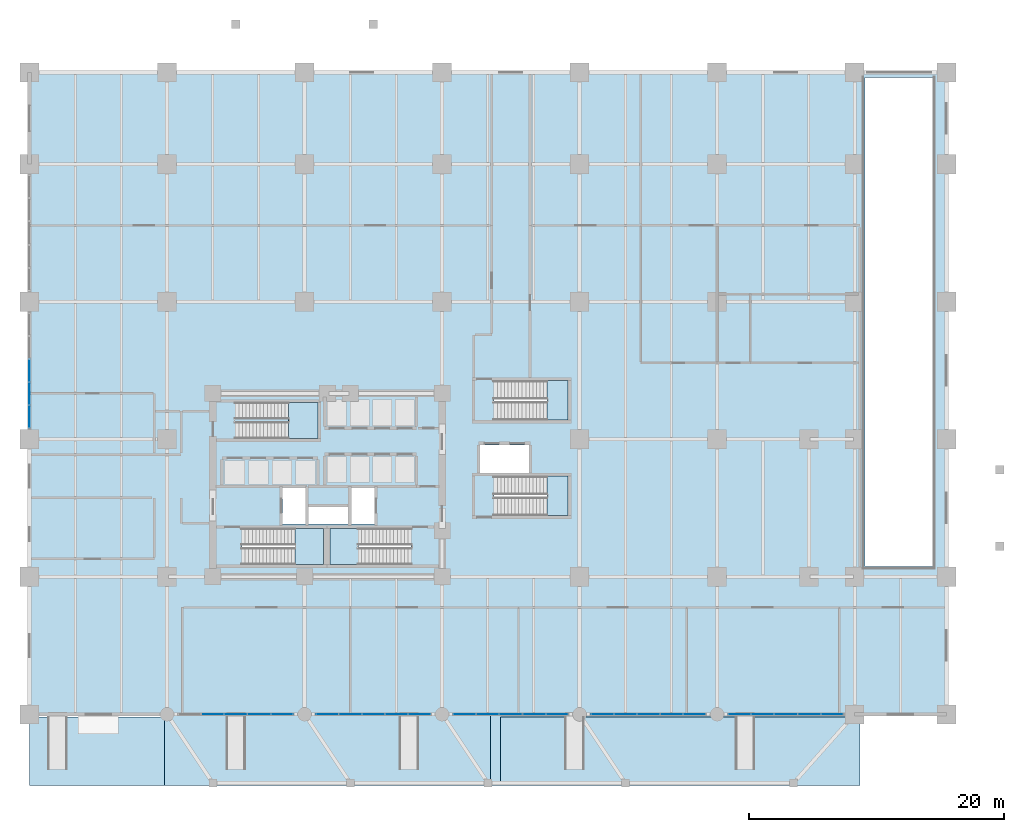
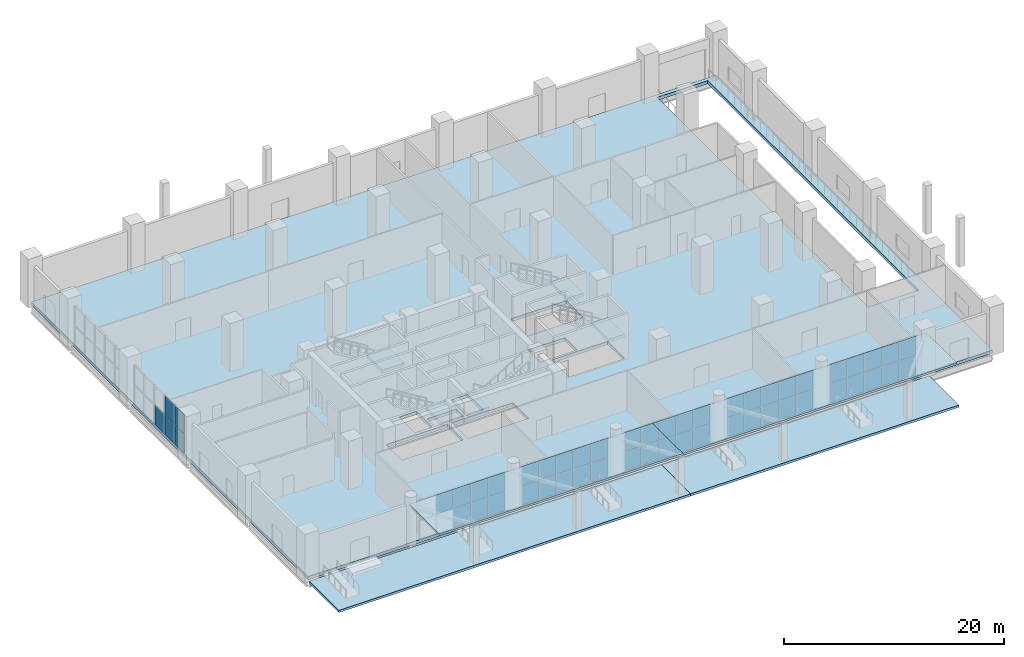
# One storey, part 12 of 22: 52 plates, 10 slabs, 11 elements without a shape of their own.
"""IFC4 building model written with IfcOpenShell, lengths in metres."""

import ifcopenshell
import ifcopenshell.guid

model = None  # the IFC model being written
_history = None  # IfcOwnerHistory: only IFC2X3 demands one
_inside = {}  # id of a spatial element -> (the spatial element, [elements in it])
_under = {}  # id of a project, library or spatial element -> (it, [spatial elements below it])
_declared = {}  # id of a project -> (the project, [libraries it declares])
_typed = {}  # id of a type object -> (the type object, [elements of that type])
_made_of = {}  # id of a material, layer set ... -> (it, [elements and type objects made of it])


def new_model(schema):
    """Start an empty IFC model of exactly this schema.

    Asked for "IFC4X3", IfcOpenShell would pick the latest addendum, in which some entities
    have other attributes; the version numbers below select the first issue.
    IFC2X3 requires an IfcOwnerHistory on every rooted entity: one is made here for all.
    """
    global model, _history
    if schema == "IFC4X3":
        model = ifcopenshell.file(schema_version=(4, 3, 0, 0))
    else:
        model = ifcopenshell.file(schema=schema)
    _inside.clear()
    _under.clear()
    _declared.clear()
    _typed.clear()
    _made_of.clear()
    _history = None
    if model.schema == "IFC2X3":
        org = make("IfcOrganization", Name="unknown")
        user = make(
            "IfcPersonAndOrganization",
            ThePerson=make("IfcPerson", FamilyName="unknown"),
            TheOrganization=org,
        )
        app = make(
            "IfcApplication",
            ApplicationDeveloper=org,
            Version="unknown",
            ApplicationFullName="unknown",
            ApplicationIdentifier="unknown",
        )
        _history = make(
            "IfcOwnerHistory",
            OwningUser=user,
            OwningApplication=app,
            ChangeAction="ADDED",
            CreationDate=0,
        )
    return model


def make(cls, **values):
    """One entity of the class cls with the attributes given. An attribute that is None is left unset."""
    return model.create_entity(
        cls, **{name: value for name, value in values.items() if value is not None}
    )


def rooted(cls, **values):
    """An entity with a GlobalId (a new one), such as an element, a storey or a relation."""
    return make(cls, GlobalId=ifcopenshell.guid.new(), OwnerHistory=_history, **values)


def si_unit(unit_type, name, prefix=None):
    """IfcSIUnit, for example si_unit("LENGTHUNIT", "METRE", prefix="MILLI")."""
    return make("IfcSIUnit", UnitType=unit_type, Prefix=prefix, Name=name)


def assignment(units):
    """IfcUnitAssignment: the units of a project."""
    return None if units is None else make("IfcUnitAssignment", Units=units)


def point(xyz):
    """IfcCartesianPoint."""
    return None if xyz is None else make("IfcCartesianPoint", Coordinates=xyz)


def direction(xyz):
    """IfcDirection."""
    return None if xyz is None else make("IfcDirection", DirectionRatios=xyz)


def frame(location, z_axis=None, x_axis=None):
    """IfcAxis2Placement3D, a coordinate frame: its origin and axes. An axis left out is left unset."""
    return make(
        "IfcAxis2Placement3D",
        Location=point(location),
        Axis=direction(z_axis),
        RefDirection=direction(x_axis),
    )


def frame_2d(location, x_axis=None):
    """IfcAxis2Placement2D, a coordinate frame in the plane: its origin and x axis."""
    return make(
        "IfcAxis2Placement2D", Location=point(location), RefDirection=direction(x_axis)
    )


def origin():
    """The frame at (0, 0, 0) with its axes left unset."""
    return frame((0.0, 0.0, 0.0))


def origin_2d():
    """The frame at (0, 0) in the plane with its x axis left unset."""
    return frame_2d((0.0, 0.0))


def place(relative_to, where):
    """IfcLocalPlacement: puts the frame where relative to a parent placement (None: the world)."""
    return make(
        "IfcLocalPlacement", PlacementRelTo=relative_to, RelativePlacement=where
    )


def context(
    kind, dimensions, precision=None, world=None, true_north=None, identifier=None
):
    """IfcGeometricRepresentationContext, for example the 3D "Model" context."""
    return make(
        "IfcGeometricRepresentationContext",
        ContextIdentifier=identifier,
        ContextType=kind,
        CoordinateSpaceDimension=dimensions,
        Precision=precision,
        WorldCoordinateSystem=world,
        TrueNorth=true_north,
    )


def subcontext(parent, identifier, kind, view, scale=None):
    """IfcGeometricRepresentationSubContext, for example "Body" below "Model"."""
    return make(
        "IfcGeometricRepresentationSubContext",
        ContextIdentifier=identifier,
        ContextType=kind,
        ParentContext=parent,
        TargetScale=scale,
        TargetView=view,
    )


def project(units=None, contexts=None):
    """IfcProject with its units and contexts."""
    return rooted(
        "IfcProject",
        Name="project",
        RepresentationContexts=contexts,
        UnitsInContext=assignment(units),
    )


def spatial(cls, under=None, at=None, **own):
    """A site, building, storey or space (cls), placed at a placement, below another one or the project."""
    s = rooted(cls, ObjectPlacement=at, **own)
    if under is not None:
        _under.setdefault(under.id(), (under, []))[1].append(s)
    return s


def polyline(points):
    """IfcPolyline through the points."""
    return make("IfcPolyline", Points=[point(p) for p in points])


def profile(cls, at=None, kind="AREA", **sizes):
    """A parametric profile (cls). Its sizes go by their IFC names, for example OverallWidth=200.0."""
    return make(cls, ProfileType=kind, Position=at, **sizes)


def rectangle(**sizes):
    """IfcRectangleProfileDef."""
    return profile("IfcRectangleProfileDef", **sizes)


def outline(outer, holes=None, kind="AREA"):
    """IfcArbitraryClosedProfileDef: a profile drawn as a closed curve; with holes, ...WithVoids."""
    if holes is None:
        return make("IfcArbitraryClosedProfileDef", ProfileType=kind, OuterCurve=outer)
    return make(
        "IfcArbitraryProfileDefWithVoids",
        ProfileType=kind,
        OuterCurve=outer,
        InnerCurves=holes,
    )


def extrude(swept, where, along, depth):
    """IfcExtrudedAreaSolid: the profile swept, set in the frame where, extruded along a direction by depth."""
    return make(
        "IfcExtrudedAreaSolid",
        SweptArea=swept,
        Position=where,
        ExtrudedDirection=direction(along),
        Depth=depth,
    )


def shape(context_of_items, identifier, shape_type, items):
    """IfcShapeRepresentation: the items that make up one representation, for example the "Body"."""
    return make(
        "IfcShapeRepresentation",
        ContextOfItems=context_of_items,
        RepresentationIdentifier=identifier,
        RepresentationType=shape_type,
        Items=items,
    )


def material(Name=None, Category=None):
    """IfcMaterial."""
    return make("IfcMaterial", Name=Name, Category=Category)


def layer(
    of_material, thickness, ventilated=None, Name=None, Category=None, Priority=None
):
    """IfcMaterialLayer: one layer of a wall or slab, of a material (None: an air gap)."""
    return make(
        "IfcMaterialLayer",
        Material=of_material,
        LayerThickness=thickness,
        IsVentilated=ventilated,
        Name=Name,
        Category=Category,
        Priority=Priority,
    )


def layer_set(layers, Name=None):
    """IfcMaterialLayerSet."""
    return make("IfcMaterialLayerSet", MaterialLayers=layers, LayerSetName=Name)


def made_of(thing, what):
    """Note that an element or type object is made of a material, layer set ...; save() writes the relation."""
    if what is not None:
        _made_of.setdefault(what.id(), (what, []))[1].append(thing)
    return thing


def type_object(cls, material=None, **own):
    """A type object (cls), such as IfcWallType, which elements share."""
    return made_of(rooted(cls, **own), material)


def element(
    cls,
    number,
    at=None,
    inside=None,
    cuts=None,
    type_object=None,
    material=None,
    context=None,
    identifier="Body",
    shape_type=None,
    held_by="IfcProductDefinitionShape",
    body=None,
    shapes=None,
    **own,
):
    """One element of the class cls, such as IfcWall. Its Tag is "e" and its number.

    at: its placement. inside: the storey or other place that contains it. cuts: it is an
    opening in that element (IfcRelVoidsElement). A single representation is given by context,
    identifier, shape_type and body (its items); several are given by shapes. held_by: the class
    of the entity that holds the representations. save() writes the other relations.
    """
    e = rooted(cls, Tag="e%d" % number, ObjectPlacement=at, **own)
    if body is not None:
        shapes = [shape(context, identifier, shape_type, body)]
    if shapes is not None:
        e.Representation = make(held_by, Representations=shapes)
    if inside is not None:
        _inside.setdefault(inside.id(), (inside, []))[1].append(e)
    if cuts is not None:
        rooted(
            "IfcRelVoidsElement", RelatingBuildingElement=cuts, RelatedOpeningElement=e
        )
    if type_object is not None:
        _typed.setdefault(type_object.id(), (type_object, []))[1].append(e)
    return made_of(e, material)


def aggregate(whole, parts):
    """IfcRelAggregates: a whole, such as a stair, and the parts it consists of."""
    return rooted("IfcRelAggregates", RelatingObject=whole, RelatedObjects=parts)


def save(model, path):
    """Write the relations noted so far, then the file.

    IfcRelAggregates (storeys below a building ...), IfcRelContainedInSpatialStructure (elements
    in a storey), IfcRelDefinesByType, IfcRelAssociatesMaterial and IfcRelDeclares: one each for
    every whole, place, type object, material and project.
    """
    for whole, parts in _under.values():
        aggregate(whole, parts)
    for where, things in _inside.values():
        rooted(
            "IfcRelContainedInSpatialStructure",
            RelatedElements=things,
            RelatingStructure=where,
        )
    for kind, things in _typed.values():
        rooted("IfcRelDefinesByType", RelatedObjects=things, RelatingType=kind)
    for what, things in _made_of.values():
        rooted("IfcRelAssociatesMaterial", RelatedObjects=things, RelatingMaterial=what)
    for by, libraries in _declared.values():
        rooted("IfcRelDeclares", RelatingContext=by, RelatedDefinitions=libraries)
    model.write(path)


model = new_model("IFC4")

# Units and contexts
model_context = context("Model", 3, precision=1e-05, world=origin(), true_north=direction((0.0, 1.0)))
body_context = subcontext(model_context, "Body", "Model", "MODEL_VIEW")
ifc_project = project(units=[si_unit("LENGTHUNIT", "METRE"), si_unit("AREAUNIT", "SQUARE_METRE"), si_unit("VOLUMEUNIT", "CUBIC_METRE"), si_unit("PLANEANGLEUNIT", "RADIAN"), si_unit("MASSUNIT", "GRAM", prefix="KILO")], contexts=[model_context])

# Site, building, storey
site_placement = place(None, origin())
site = spatial("IfcSite", under=ifc_project, at=site_placement, CompositionType="ELEMENT")
building_placement = place(site_placement, origin())
building = spatial("IfcBuilding", under=site, at=building_placement, Name="Solnavia Interchange Tower", CompositionType="ELEMENT")
storey_placement = place(building_placement, origin())
storey = spatial("IfcBuildingStorey", under=building, at=storey_placement, Name="L00", CompositionType="ELEMENT", Elevation=0.0)

# Curtain wall, plates
ifc_material_1 = material(Name="Aluminium Alloy 6063-T6", Category="aluminium")
ifc_layer_1 = layer(ifc_material_1, 0.27001953125)
ifc_layer_set_1 = layer_set([ifc_layer_1], Name="Aluminium Alloy 6063-T6")
curtain_wall_type = type_object("IfcCurtainWallType", Name="CurtainWall-Podium-CTW1", PredefinedType="NOTDEFINED", material=ifc_layer_set_1)
curtain_wall_1_placement = place(storey_placement, origin())
curtain_wall_1 = element("IfcCurtainWall", 1, at=curtain_wall_1_placement, inside=storey, type_object=curtain_wall_type, Name="CTW-L00-S01 CTW-1 curtain wall", PredefinedType="NOTDEFINED")
ifc_material_2 = material(Name="Double-Glazed Low-E IGU Glass", Category="glass")
ifc_layer_2 = layer(ifc_material_2, 0.028076171875)
ifc_layer_set_2 = layer_set([ifc_layer_2], Name="Double-Glazed Low-E IGU Glass")
plate_type = type_object("IfcPlateType", Name="CW-Panel-Glazed-28", PredefinedType="CURTAIN_PANEL", material=ifc_layer_set_2)
plate_1_placement = place(storey_placement, frame((19.827880859375, 0.0, 0.06982421875), z_axis=(0.0, 0.0, 1.0), x_axis=(-1.0, 0.0, 0.0)))
plate_1 = element("IfcPlate", 2, at=plate_1_placement, type_object=plate_type, Name="CTW-1 panel 1.1", PredefinedType="CURTAIN_PANEL", context=body_context, shape_type="SweptSolid", body=[
    extrude(rectangle(XDim=1.7041015625, YDim=0.028076171875, at=origin_2d()), origin(), (0.0, 0.0, 1.0), 2.110107421875),
])
plate_2_placement = place(storey_placement, frame((19.827880859375, 0.0, 2.25), z_axis=(0.0, 0.0, 1.0), x_axis=(-1.0, 0.0, 0.0)))
plate_2 = element("IfcPlate", 3, at=plate_2_placement, type_object=plate_type, Name="CTW-1 panel 1.2", PredefinedType="CURTAIN_PANEL", context=body_context, shape_type="SweptSolid", body=[
    extrude(rectangle(XDim=1.7041015625, YDim=0.028076171875, at=origin_2d()), origin(), (0.0, 0.0, 1.0), 2.110107421875),
])
plate_3_placement = place(storey_placement, frame((18.02392578125, 0.0, 0.06982421875), z_axis=(0.0, 0.0, 1.0), x_axis=(-1.0, 0.0, 0.0)))
plate_3 = element("IfcPlate", 4, at=plate_3_placement, type_object=plate_type, Name="CTW-1 panel 2.1", PredefinedType="CURTAIN_PANEL", context=body_context, shape_type="SweptSolid", body=[
    extrude(rectangle(XDim=1.743896484375, YDim=0.028076171875, at=origin_2d()), origin(), (0.0, 0.0, 1.0), 2.110107421875),
])
plate_4_placement = place(storey_placement, frame((18.02392578125, 0.0, 2.25), z_axis=(0.0, 0.0, 1.0), x_axis=(-1.0, 0.0, 0.0)))
plate_4 = element("IfcPlate", 5, at=plate_4_placement, type_object=plate_type, Name="CTW-1 panel 2.2", PredefinedType="CURTAIN_PANEL", context=body_context, shape_type="SweptSolid", body=[
    extrude(rectangle(XDim=1.743896484375, YDim=0.028076171875, at=origin_2d()), origin(), (0.0, 0.0, 1.0), 2.110107421875),
])
plate_5_placement = place(storey_placement, frame((16.199951171875, 0.0, 0.06982421875), z_axis=(0.0, 0.0, 1.0), x_axis=(-1.0, 0.0, 0.0)))
plate_5 = element("IfcPlate", 6, at=plate_5_placement, type_object=plate_type, Name="CTW-1 panel 3.1", PredefinedType="CURTAIN_PANEL", context=body_context, shape_type="SweptSolid", body=[
    extrude(rectangle(XDim=1.743896484375, YDim=0.028076171875, at=origin_2d()), origin(), (0.0, 0.0, 1.0), 2.110107421875),
])
plate_6_placement = place(storey_placement, frame((16.199951171875, 0.0, 2.25), z_axis=(0.0, 0.0, 1.0), x_axis=(-1.0, 0.0, 0.0)))
plate_6 = element("IfcPlate", 7, at=plate_6_placement, type_object=plate_type, Name="CTW-1 panel 3.2", PredefinedType="CURTAIN_PANEL", context=body_context, shape_type="SweptSolid", body=[
    extrude(rectangle(XDim=1.743896484375, YDim=0.028076171875, at=origin_2d()), origin(), (0.0, 0.0, 1.0), 2.110107421875),
])
plate_7_placement = place(storey_placement, frame((14.3759765625, 0.0, 2.25), z_axis=(0.0, 0.0, 1.0), x_axis=(-1.0, 0.0, 0.0)))
plate_7 = element("IfcPlate", 8, at=plate_7_placement, type_object=plate_type, Name="CTW-1 panel 4.2", PredefinedType="CURTAIN_PANEL", context=body_context, shape_type="SweptSolid", body=[
    extrude(rectangle(XDim=1.743896484375, YDim=0.028076171875, at=origin_2d()), origin(), (0.0, 0.0, 1.0), 2.110107421875),
])
aggregate(curtain_wall_1, [plate_1, plate_2, plate_3, plate_4, plate_5, plate_6, plate_7])

curtain_wall_2_placement = place(storey_placement, origin())
curtain_wall_2 = element("IfcCurtainWall", 9, at=curtain_wall_2_placement, inside=storey, type_object=curtain_wall_type, Name="CTW-L00-S02 CTW-1 curtain wall", PredefinedType="NOTDEFINED")
plate_8_placement = place(storey_placement, frame((30.6279296875, 0.0, 0.06982421875), z_axis=(0.0, 0.0, 1.0), x_axis=(-1.0, 0.0, 0.0)))
plate_8 = element("IfcPlate", 10, at=plate_8_placement, type_object=plate_type, Name="CTW-1 panel 1.1", PredefinedType="CURTAIN_PANEL", context=body_context, shape_type="SweptSolid", body=[
    extrude(rectangle(XDim=1.7041015625, YDim=0.028076171875, at=origin_2d()), origin(), (0.0, 0.0, 1.0), 2.110107421875),
])
plate_9_placement = place(storey_placement, frame((30.6279296875, 0.0, 2.25), z_axis=(0.0, 0.0, 1.0), x_axis=(-1.0, 0.0, 0.0)))
plate_9 = element("IfcPlate", 11, at=plate_9_placement, type_object=plate_type, Name="CTW-1 panel 1.2", PredefinedType="CURTAIN_PANEL", context=body_context, shape_type="SweptSolid", body=[
    extrude(rectangle(XDim=1.7041015625, YDim=0.028076171875, at=origin_2d()), origin(), (0.0, 0.0, 1.0), 2.110107421875),
])
plate_10_placement = place(storey_placement, frame((28.823974609375, 0.0, 0.06982421875), z_axis=(0.0, 0.0, 1.0), x_axis=(-1.0, 0.0, 0.0)))
plate_10 = element("IfcPlate", 12, at=plate_10_placement, type_object=plate_type, Name="CTW-1 panel 2.1", PredefinedType="CURTAIN_PANEL", context=body_context, shape_type="SweptSolid", body=[
    extrude(rectangle(XDim=1.743896484375, YDim=0.028076171875, at=origin_2d()), origin(), (0.0, 0.0, 1.0), 2.110107421875),
])
plate_11_placement = place(storey_placement, frame((28.823974609375, 0.0, 2.25), z_axis=(0.0, 0.0, 1.0), x_axis=(-1.0, 0.0, 0.0)))
plate_11 = element("IfcPlate", 13, at=plate_11_placement, type_object=plate_type, Name="CTW-1 panel 2.2", PredefinedType="CURTAIN_PANEL", context=body_context, shape_type="SweptSolid", body=[
    extrude(rectangle(XDim=1.743896484375, YDim=0.028076171875, at=origin_2d()), origin(), (0.0, 0.0, 1.0), 2.110107421875),
])
plate_12_placement = place(storey_placement, frame((27.0, 0.0, 0.06982421875), z_axis=(0.0, 0.0, 1.0), x_axis=(-1.0, 0.0, 0.0)))
plate_12 = element("IfcPlate", 14, at=plate_12_placement, type_object=plate_type, Name="CTW-1 panel 3.1", PredefinedType="CURTAIN_PANEL", context=body_context, shape_type="SweptSolid", body=[
    extrude(rectangle(XDim=1.743896484375, YDim=0.028076171875, at=origin_2d()), origin(), (0.0, 0.0, 1.0), 2.110107421875),
])
plate_13_placement = place(storey_placement, frame((27.0, 0.0, 2.25), z_axis=(0.0, 0.0, 1.0), x_axis=(-1.0, 0.0, 0.0)))
plate_13 = element("IfcPlate", 15, at=plate_13_placement, type_object=plate_type, Name="CTW-1 panel 3.2", PredefinedType="CURTAIN_PANEL", context=body_context, shape_type="SweptSolid", body=[
    extrude(rectangle(XDim=1.743896484375, YDim=0.028076171875, at=origin_2d()), origin(), (0.0, 0.0, 1.0), 2.110107421875),
])
plate_14_placement = place(storey_placement, frame((25.176025390625, 0.0, 0.06982421875), z_axis=(0.0, 0.0, 1.0), x_axis=(-1.0, 0.0, 0.0)))
plate_14 = element("IfcPlate", 16, at=plate_14_placement, type_object=plate_type, Name="CTW-1 panel 4.1", PredefinedType="CURTAIN_PANEL", context=body_context, shape_type="SweptSolid", body=[
    extrude(rectangle(XDim=1.743896484375, YDim=0.028076171875, at=origin_2d()), origin(), (0.0, 0.0, 1.0), 2.110107421875),
])
plate_15_placement = place(storey_placement, frame((25.176025390625, 0.0, 2.25), z_axis=(0.0, 0.0, 1.0), x_axis=(-1.0, 0.0, 0.0)))
plate_15 = element("IfcPlate", 17, at=plate_15_placement, type_object=plate_type, Name="CTW-1 panel 4.2", PredefinedType="CURTAIN_PANEL", context=body_context, shape_type="SweptSolid", body=[
    extrude(rectangle(XDim=1.743896484375, YDim=0.028076171875, at=origin_2d()), origin(), (0.0, 0.0, 1.0), 2.110107421875),
])
plate_16_placement = place(storey_placement, frame((23.3720703125, 0.0, 0.06982421875), z_axis=(0.0, 0.0, 1.0), x_axis=(-1.0, 0.0, 0.0)))
plate_16 = element("IfcPlate", 18, at=plate_16_placement, type_object=plate_type, Name="CTW-1 panel 5.1", PredefinedType="CURTAIN_PANEL", context=body_context, shape_type="SweptSolid", body=[
    extrude(rectangle(XDim=1.7041015625, YDim=0.028076171875, at=origin_2d()), origin(), (0.0, 0.0, 1.0), 2.110107421875),
])
plate_17_placement = place(storey_placement, frame((23.3720703125, 0.0, 2.25), z_axis=(0.0, 0.0, 1.0), x_axis=(-1.0, 0.0, 0.0)))
plate_17 = element("IfcPlate", 19, at=plate_17_placement, type_object=plate_type, Name="CTW-1 panel 5.2", PredefinedType="CURTAIN_PANEL", context=body_context, shape_type="SweptSolid", body=[
    extrude(rectangle(XDim=1.7041015625, YDim=0.028076171875, at=origin_2d()), origin(), (0.0, 0.0, 1.0), 2.110107421875),
])
aggregate(curtain_wall_2, [plate_8, plate_9, plate_10, plate_11, plate_12, plate_13, plate_14, plate_15, plate_16, plate_17])

curtain_wall_3_placement = place(storey_placement, origin())
curtain_wall_3 = element("IfcCurtainWall", 20, at=curtain_wall_3_placement, inside=storey, type_object=curtain_wall_type, Name="CTW-L00-S03 CTW-1 curtain wall", PredefinedType="NOTDEFINED")
plate_18_placement = place(storey_placement, frame((41.427978515625, 0.0, 0.06982421875), z_axis=(0.0, 0.0, 1.0), x_axis=(-1.0, 0.0, 0.0)))
plate_18 = element("IfcPlate", 21, at=plate_18_placement, type_object=plate_type, Name="CTW-1 panel 1.1", PredefinedType="CURTAIN_PANEL", context=body_context, shape_type="SweptSolid", body=[
    extrude(rectangle(XDim=1.7041015625, YDim=0.028076171875, at=origin_2d()), origin(), (0.0, 0.0, 1.0), 2.110107421875),
])
plate_19_placement = place(storey_placement, frame((41.427978515625, 0.0, 2.25), z_axis=(0.0, 0.0, 1.0), x_axis=(-1.0, 0.0, 0.0)))
plate_19 = element("IfcPlate", 22, at=plate_19_placement, type_object=plate_type, Name="CTW-1 panel 1.2", PredefinedType="CURTAIN_PANEL", context=body_context, shape_type="SweptSolid", body=[
    extrude(rectangle(XDim=1.7041015625, YDim=0.028076171875, at=origin_2d()), origin(), (0.0, 0.0, 1.0), 2.110107421875),
])
plate_20_placement = place(storey_placement, frame((39.6240234375, 0.0, 0.06982421875), z_axis=(0.0, 0.0, 1.0), x_axis=(-1.0, 0.0, 0.0)))
plate_20 = element("IfcPlate", 23, at=plate_20_placement, type_object=plate_type, Name="CTW-1 panel 2.1", PredefinedType="CURTAIN_PANEL", context=body_context, shape_type="SweptSolid", body=[
    extrude(rectangle(XDim=1.743896484375, YDim=0.028076171875, at=origin_2d()), origin(), (0.0, 0.0, 1.0), 2.110107421875),
])
plate_21_placement = place(storey_placement, frame((39.6240234375, 0.0, 2.25), z_axis=(0.0, 0.0, 1.0), x_axis=(-1.0, 0.0, 0.0)))
plate_21 = element("IfcPlate", 24, at=plate_21_placement, type_object=plate_type, Name="CTW-1 panel 2.2", PredefinedType="CURTAIN_PANEL", context=body_context, shape_type="SweptSolid", body=[
    extrude(rectangle(XDim=1.743896484375, YDim=0.028076171875, at=origin_2d()), origin(), (0.0, 0.0, 1.0), 2.110107421875),
])
plate_22_placement = place(storey_placement, frame((37.800048828125, 0.0, 0.06982421875), z_axis=(0.0, 0.0, 1.0), x_axis=(-1.0, 0.0, 0.0)))
plate_22 = element("IfcPlate", 25, at=plate_22_placement, type_object=plate_type, Name="CTW-1 panel 3.1", PredefinedType="CURTAIN_PANEL", context=body_context, shape_type="SweptSolid", body=[
    extrude(rectangle(XDim=1.743896484375, YDim=0.028076171875, at=origin_2d()), origin(), (0.0, 0.0, 1.0), 2.110107421875),
])
plate_23_placement = place(storey_placement, frame((37.800048828125, 0.0, 2.25), z_axis=(0.0, 0.0, 1.0), x_axis=(-1.0, 0.0, 0.0)))
plate_23 = element("IfcPlate", 26, at=plate_23_placement, type_object=plate_type, Name="CTW-1 panel 3.2", PredefinedType="CURTAIN_PANEL", context=body_context, shape_type="SweptSolid", body=[
    extrude(rectangle(XDim=1.743896484375, YDim=0.028076171875, at=origin_2d()), origin(), (0.0, 0.0, 1.0), 2.110107421875),
])
plate_24_placement = place(storey_placement, frame((35.97607421875, 0.0, 0.06982421875), z_axis=(0.0, 0.0, 1.0), x_axis=(-1.0, 0.0, 0.0)))
plate_24 = element("IfcPlate", 27, at=plate_24_placement, type_object=plate_type, Name="CTW-1 panel 4.1", PredefinedType="CURTAIN_PANEL", context=body_context, shape_type="SweptSolid", body=[
    extrude(rectangle(XDim=1.743896484375, YDim=0.028076171875, at=origin_2d()), origin(), (0.0, 0.0, 1.0), 2.110107421875),
])
plate_25_placement = place(storey_placement, frame((35.97607421875, 0.0, 2.25), z_axis=(0.0, 0.0, 1.0), x_axis=(-1.0, 0.0, 0.0)))
plate_25 = element("IfcPlate", 28, at=plate_25_placement, type_object=plate_type, Name="CTW-1 panel 4.2", PredefinedType="CURTAIN_PANEL", context=body_context, shape_type="SweptSolid", body=[
    extrude(rectangle(XDim=1.743896484375, YDim=0.028076171875, at=origin_2d()), origin(), (0.0, 0.0, 1.0), 2.110107421875),
])
plate_26_placement = place(storey_placement, frame((34.172119140625, 0.0, 0.06982421875), z_axis=(0.0, 0.0, 1.0), x_axis=(-1.0, 0.0, 0.0)))
plate_26 = element("IfcPlate", 29, at=plate_26_placement, type_object=plate_type, Name="CTW-1 panel 5.1", PredefinedType="CURTAIN_PANEL", context=body_context, shape_type="SweptSolid", body=[
    extrude(rectangle(XDim=1.7041015625, YDim=0.028076171875, at=origin_2d()), origin(), (0.0, 0.0, 1.0), 2.110107421875),
])
plate_27_placement = place(storey_placement, frame((34.172119140625, 0.0, 2.25), z_axis=(0.0, 0.0, 1.0), x_axis=(-1.0, 0.0, 0.0)))
plate_27 = element("IfcPlate", 30, at=plate_27_placement, type_object=plate_type, Name="CTW-1 panel 5.2", PredefinedType="CURTAIN_PANEL", context=body_context, shape_type="SweptSolid", body=[
    extrude(rectangle(XDim=1.7041015625, YDim=0.028076171875, at=origin_2d()), origin(), (0.0, 0.0, 1.0), 2.110107421875),
])
aggregate(curtain_wall_3, [plate_18, plate_19, plate_20, plate_21, plate_22, plate_23, plate_24, plate_25, plate_26, plate_27])

curtain_wall_4_placement = place(storey_placement, origin())
curtain_wall_4 = element("IfcCurtainWall", 31, at=curtain_wall_4_placement, inside=storey, type_object=curtain_wall_type, Name="CTW-L00-S04 CTW-1 curtain wall", PredefinedType="NOTDEFINED")
plate_28_placement = place(storey_placement, frame((52.22802734375, 0.0, 0.06982421875), z_axis=(0.0, 0.0, 1.0), x_axis=(-1.0, 0.0, 0.0)))
plate_28 = element("IfcPlate", 32, at=plate_28_placement, type_object=plate_type, Name="CTW-1 panel 1.1", PredefinedType="CURTAIN_PANEL", context=body_context, shape_type="SweptSolid", body=[
    extrude(rectangle(XDim=1.7041015625, YDim=0.028076171875, at=origin_2d()), origin(), (0.0, 0.0, 1.0), 2.110107421875),
])
plate_29_placement = place(storey_placement, frame((52.22802734375, 0.0, 2.25), z_axis=(0.0, 0.0, 1.0), x_axis=(-1.0, 0.0, 0.0)))
plate_29 = element("IfcPlate", 33, at=plate_29_placement, type_object=plate_type, Name="CTW-1 panel 1.2", PredefinedType="CURTAIN_PANEL", context=body_context, shape_type="SweptSolid", body=[
    extrude(rectangle(XDim=1.7041015625, YDim=0.028076171875, at=origin_2d()), origin(), (0.0, 0.0, 1.0), 2.110107421875),
])
plate_30_placement = place(storey_placement, frame((50.424072265625, 0.0, 0.06982421875), z_axis=(0.0, 0.0, 1.0), x_axis=(-1.0, 0.0, 0.0)))
plate_30 = element("IfcPlate", 34, at=plate_30_placement, type_object=plate_type, Name="CTW-1 panel 2.1", PredefinedType="CURTAIN_PANEL", context=body_context, shape_type="SweptSolid", body=[
    extrude(rectangle(XDim=1.743896484375, YDim=0.028076171875, at=origin_2d()), origin(), (0.0, 0.0, 1.0), 2.110107421875),
])
plate_31_placement = place(storey_placement, frame((50.424072265625, 0.0, 2.25), z_axis=(0.0, 0.0, 1.0), x_axis=(-1.0, 0.0, 0.0)))
plate_31 = element("IfcPlate", 35, at=plate_31_placement, type_object=plate_type, Name="CTW-1 panel 2.2", PredefinedType="CURTAIN_PANEL", context=body_context, shape_type="SweptSolid", body=[
    extrude(rectangle(XDim=1.743896484375, YDim=0.028076171875, at=origin_2d()), origin(), (0.0, 0.0, 1.0), 2.110107421875),
])
plate_32_placement = place(storey_placement, frame((48.60009765625, 0.0, 0.06982421875), z_axis=(0.0, 0.0, 1.0), x_axis=(-1.0, 0.0, 0.0)))
plate_32 = element("IfcPlate", 36, at=plate_32_placement, type_object=plate_type, Name="CTW-1 panel 3.1", PredefinedType="CURTAIN_PANEL", context=body_context, shape_type="SweptSolid", body=[
    extrude(rectangle(XDim=1.743896484375, YDim=0.028076171875, at=origin_2d()), origin(), (0.0, 0.0, 1.0), 2.110107421875),
])
plate_33_placement = place(storey_placement, frame((48.60009765625, 0.0, 2.25), z_axis=(0.0, 0.0, 1.0), x_axis=(-1.0, 0.0, 0.0)))
plate_33 = element("IfcPlate", 37, at=plate_33_placement, type_object=plate_type, Name="CTW-1 panel 3.2", PredefinedType="CURTAIN_PANEL", context=body_context, shape_type="SweptSolid", body=[
    extrude(rectangle(XDim=1.743896484375, YDim=0.028076171875, at=origin_2d()), origin(), (0.0, 0.0, 1.0), 2.110107421875),
])
plate_34_placement = place(storey_placement, frame((46.77587890625, 0.0, 0.06982421875), z_axis=(0.0, 0.0, 1.0), x_axis=(-1.0, 0.0, 0.0)))
plate_34 = element("IfcPlate", 38, at=plate_34_placement, type_object=plate_type, Name="CTW-1 panel 4.1", PredefinedType="CURTAIN_PANEL", context=body_context, shape_type="SweptSolid", body=[
    extrude(rectangle(XDim=1.743896484375, YDim=0.028076171875, at=origin_2d()), origin(), (0.0, 0.0, 1.0), 2.110107421875),
])
plate_35_placement = place(storey_placement, frame((46.77587890625, 0.0, 2.25), z_axis=(0.0, 0.0, 1.0), x_axis=(-1.0, 0.0, 0.0)))
plate_35 = element("IfcPlate", 39, at=plate_35_placement, type_object=plate_type, Name="CTW-1 panel 4.2", PredefinedType="CURTAIN_PANEL", context=body_context, shape_type="SweptSolid", body=[
    extrude(rectangle(XDim=1.743896484375, YDim=0.028076171875, at=origin_2d()), origin(), (0.0, 0.0, 1.0), 2.110107421875),
])
plate_36_placement = place(storey_placement, frame((44.971923828125, 0.0, 0.06982421875), z_axis=(0.0, 0.0, 1.0), x_axis=(-1.0, 0.0, 0.0)))
plate_36 = element("IfcPlate", 40, at=plate_36_placement, type_object=plate_type, Name="CTW-1 panel 5.1", PredefinedType="CURTAIN_PANEL", context=body_context, shape_type="SweptSolid", body=[
    extrude(rectangle(XDim=1.7041015625, YDim=0.028076171875, at=origin_2d()), origin(), (0.0, 0.0, 1.0), 2.110107421875),
])
plate_37_placement = place(storey_placement, frame((44.971923828125, 0.0, 2.25), z_axis=(0.0, 0.0, 1.0), x_axis=(-1.0, 0.0, 0.0)))
plate_37 = element("IfcPlate", 41, at=plate_37_placement, type_object=plate_type, Name="CTW-1 panel 5.2", PredefinedType="CURTAIN_PANEL", context=body_context, shape_type="SweptSolid", body=[
    extrude(rectangle(XDim=1.7041015625, YDim=0.028076171875, at=origin_2d()), origin(), (0.0, 0.0, 1.0), 2.110107421875),
])
aggregate(curtain_wall_4, [plate_28, plate_29, plate_30, plate_31, plate_32, plate_33, plate_34, plate_35, plate_36, plate_37])

curtain_wall_5_placement = place(storey_placement, origin())
curtain_wall_5 = element("IfcCurtainWall", 42, at=curtain_wall_5_placement, inside=storey, type_object=curtain_wall_type, Name="CTW-L00-S05 CTW-1 curtain wall", PredefinedType="NOTDEFINED")
plate_38_placement = place(storey_placement, frame((63.028076171875, 0.0, 0.06982421875), z_axis=(0.0, 0.0, 1.0), x_axis=(-1.0, 0.0, 0.0)))
plate_38 = element("IfcPlate", 43, at=plate_38_placement, type_object=plate_type, Name="CTW-1 panel 1.1", PredefinedType="CURTAIN_PANEL", context=body_context, shape_type="SweptSolid", body=[
    extrude(rectangle(XDim=1.7041015625, YDim=0.028076171875, at=origin_2d()), origin(), (0.0, 0.0, 1.0), 2.110107421875),
])
plate_39_placement = place(storey_placement, frame((63.028076171875, 0.0, 2.25), z_axis=(0.0, 0.0, 1.0), x_axis=(-1.0, 0.0, 0.0)))
plate_39 = element("IfcPlate", 44, at=plate_39_placement, type_object=plate_type, Name="CTW-1 panel 1.2", PredefinedType="CURTAIN_PANEL", context=body_context, shape_type="SweptSolid", body=[
    extrude(rectangle(XDim=1.7041015625, YDim=0.028076171875, at=origin_2d()), origin(), (0.0, 0.0, 1.0), 2.110107421875),
])
plate_40_placement = place(storey_placement, frame((61.22412109375, 0.0, 0.06982421875), z_axis=(0.0, 0.0, 1.0), x_axis=(-1.0, 0.0, 0.0)))
plate_40 = element("IfcPlate", 45, at=plate_40_placement, type_object=plate_type, Name="CTW-1 panel 2.1", PredefinedType="CURTAIN_PANEL", context=body_context, shape_type="SweptSolid", body=[
    extrude(rectangle(XDim=1.743896484375, YDim=0.028076171875, at=origin_2d()), origin(), (0.0, 0.0, 1.0), 2.110107421875),
])
plate_41_placement = place(storey_placement, frame((61.22412109375, 0.0, 2.25), z_axis=(0.0, 0.0, 1.0), x_axis=(-1.0, 0.0, 0.0)))
plate_41 = element("IfcPlate", 46, at=plate_41_placement, type_object=plate_type, Name="CTW-1 panel 2.2", PredefinedType="CURTAIN_PANEL", context=body_context, shape_type="SweptSolid", body=[
    extrude(rectangle(XDim=1.743896484375, YDim=0.028076171875, at=origin_2d()), origin(), (0.0, 0.0, 1.0), 2.110107421875),
])
plate_42_placement = place(storey_placement, frame((59.39990234375, 0.0, 0.06982421875), z_axis=(0.0, 0.0, 1.0), x_axis=(-1.0, 0.0, 0.0)))
plate_42 = element("IfcPlate", 47, at=plate_42_placement, type_object=plate_type, Name="CTW-1 panel 3.1", PredefinedType="CURTAIN_PANEL", context=body_context, shape_type="SweptSolid", body=[
    extrude(rectangle(XDim=1.743896484375, YDim=0.028076171875, at=origin_2d()), origin(), (0.0, 0.0, 1.0), 2.110107421875),
])
plate_43_placement = place(storey_placement, frame((59.39990234375, 0.0, 2.25), z_axis=(0.0, 0.0, 1.0), x_axis=(-1.0, 0.0, 0.0)))
plate_43 = element("IfcPlate", 48, at=plate_43_placement, type_object=plate_type, Name="CTW-1 panel 3.2", PredefinedType="CURTAIN_PANEL", context=body_context, shape_type="SweptSolid", body=[
    extrude(rectangle(XDim=1.743896484375, YDim=0.028076171875, at=origin_2d()), origin(), (0.0, 0.0, 1.0), 2.110107421875),
])
plate_44_placement = place(storey_placement, frame((57.575927734375, 0.0, 0.06982421875), z_axis=(0.0, 0.0, 1.0), x_axis=(-1.0, 0.0, 0.0)))
plate_44 = element("IfcPlate", 49, at=plate_44_placement, type_object=plate_type, Name="CTW-1 panel 4.1", PredefinedType="CURTAIN_PANEL", context=body_context, shape_type="SweptSolid", body=[
    extrude(rectangle(XDim=1.743896484375, YDim=0.028076171875, at=origin_2d()), origin(), (0.0, 0.0, 1.0), 2.110107421875),
])
plate_45_placement = place(storey_placement, frame((57.575927734375, 0.0, 2.25), z_axis=(0.0, 0.0, 1.0), x_axis=(-1.0, 0.0, 0.0)))
plate_45 = element("IfcPlate", 50, at=plate_45_placement, type_object=plate_type, Name="CTW-1 panel 4.2", PredefinedType="CURTAIN_PANEL", context=body_context, shape_type="SweptSolid", body=[
    extrude(rectangle(XDim=1.743896484375, YDim=0.028076171875, at=origin_2d()), origin(), (0.0, 0.0, 1.0), 2.110107421875),
])
plate_46_placement = place(storey_placement, frame((55.77197265625, 0.0, 0.06982421875), z_axis=(0.0, 0.0, 1.0), x_axis=(-1.0, 0.0, 0.0)))
plate_46 = element("IfcPlate", 51, at=plate_46_placement, type_object=plate_type, Name="CTW-1 panel 5.1", PredefinedType="CURTAIN_PANEL", context=body_context, shape_type="SweptSolid", body=[
    extrude(rectangle(XDim=1.7041015625, YDim=0.028076171875, at=origin_2d()), origin(), (0.0, 0.0, 1.0), 2.110107421875),
])
plate_47_placement = place(storey_placement, frame((55.77197265625, 0.0, 2.25), z_axis=(0.0, 0.0, 1.0), x_axis=(-1.0, 0.0, 0.0)))
plate_47 = element("IfcPlate", 52, at=plate_47_placement, type_object=plate_type, Name="CTW-1 panel 5.2", PredefinedType="CURTAIN_PANEL", context=body_context, shape_type="SweptSolid", body=[
    extrude(rectangle(XDim=1.7041015625, YDim=0.028076171875, at=origin_2d()), origin(), (0.0, 0.0, 1.0), 2.110107421875),
])
aggregate(curtain_wall_5, [plate_38, plate_39, plate_40, plate_41, plate_42, plate_43, plate_44, plate_45, plate_46, plate_47])

curtain_wall_6_placement = place(storey_placement, origin())
curtain_wall_6 = element("IfcCurtainWall", 53, at=curtain_wall_6_placement, inside=storey, type_object=curtain_wall_type, Name="CTW-L00-W21 CTW-1 curtain wall", PredefinedType="NOTDEFINED")
plate_48_placement = place(storey_placement, frame((0.0, 23.3720703125, 0.06982421875), z_axis=(0.0, 0.0, 1.0), x_axis=(0.0, 1.0, 0.0)))
plate_48 = element("IfcPlate", 54, at=plate_48_placement, type_object=plate_type, Name="CTW-1 panel 1.1", PredefinedType="CURTAIN_PANEL", context=body_context, shape_type="SweptSolid", body=[
    extrude(rectangle(XDim=1.7041015625, YDim=0.028076171875, at=origin_2d()), origin(), (0.0, 0.0, 1.0), 2.110107421875),
])
plate_49_placement = place(storey_placement, frame((0.0, 23.3720703125, 2.25), z_axis=(0.0, 0.0, 1.0), x_axis=(0.0, 1.0, 0.0)))
plate_49 = element("IfcPlate", 55, at=plate_49_placement, type_object=plate_type, Name="CTW-1 panel 1.2", PredefinedType="CURTAIN_PANEL", context=body_context, shape_type="SweptSolid", body=[
    extrude(rectangle(XDim=1.7041015625, YDim=0.028076171875, at=origin_2d()), origin(), (0.0, 0.0, 1.0), 2.110107421875),
])
plate_50_placement = place(storey_placement, frame((0.0, 25.176025390625, 0.06982421875), z_axis=(0.0, 0.0, 1.0), x_axis=(0.0, 1.0, 0.0)))
plate_50 = element("IfcPlate", 56, at=plate_50_placement, type_object=plate_type, Name="CTW-1 panel 2.1", PredefinedType="CURTAIN_PANEL", context=body_context, shape_type="SweptSolid", body=[
    extrude(rectangle(XDim=1.743896484375, YDim=0.028076171875, at=origin_2d()), origin(), (0.0, 0.0, 1.0), 2.110107421875),
])
plate_51_placement = place(storey_placement, frame((0.0, 25.176025390625, 2.25), z_axis=(0.0, 0.0, 1.0), x_axis=(0.0, 1.0, 0.0)))
plate_51 = element("IfcPlate", 57, at=plate_51_placement, type_object=plate_type, Name="CTW-1 panel 2.2", PredefinedType="CURTAIN_PANEL", context=body_context, shape_type="SweptSolid", body=[
    extrude(rectangle(XDim=1.743896484375, YDim=0.028076171875, at=origin_2d()), origin(), (0.0, 0.0, 1.0), 2.110107421875),
])
plate_52_placement = place(storey_placement, frame((0.0, 27.0, 0.06982421875), z_axis=(0.0, 0.0, 1.0), x_axis=(0.0, 1.0, 0.0)))
plate_52 = element("IfcPlate", 58, at=plate_52_placement, type_object=plate_type, Name="CTW-1 panel 3.1", PredefinedType="CURTAIN_PANEL", context=body_context, shape_type="SweptSolid", body=[
    extrude(rectangle(XDim=1.743896484375, YDim=0.028076171875, at=origin_2d()), origin(), (0.0, 0.0, 1.0), 2.110107421875),
])
aggregate(curtain_wall_6, [plate_48, plate_49, plate_50, plate_51, plate_52])

# Slabs
ifc_material_3 = material(Name="Concrete C40/50", Category="concrete")
ifc_layer_3 = layer(ifc_material_3, 0.219970703125)
ifc_layer_set_3 = layer_set([ifc_layer_3], Name="Concrete C40/50")
slab_type_1 = type_object("IfcSlabType", Name="Slab-Canopy-220", PredefinedType="ROOF", material=ifc_layer_set_3)
slab_1_placement = place(storey_placement, frame((0.0, 0.0, 4.199951171875)))
element("IfcSlab", 59, at=slab_1_placement, inside=storey, type_object=slab_type_1, Name="CNP-L00-S1 South waterfront west colonnade canopy", PredefinedType="ROOF", context=body_context, shape_type="SweptSolid", body=[
    extrude(outline(polyline([(10.60009765625, -5.60009765625), (36.199951171875, -5.60009765625), (36.199951171875, -0.050048828125), (10.60009765625, -0.050048828125), (10.60009765625, -5.60009765625)])), origin(), (0.0, 0.0, 1.0), 0.219970703125),
])
slab_2_placement = place(storey_placement, frame((0.0, 0.0, 4.199951171875)))
element("IfcSlab", 60, at=slab_2_placement, inside=storey, type_object=slab_type_1, Name="CNP-L00-S2 South waterfront east colonnade canopy", PredefinedType="ROOF", context=body_context, shape_type="SweptSolid", body=[
    extrude(outline(polyline([(36.199951171875, -5.60009765625), (65.0, -5.60009765625), (65.0, -0.050048828125), (36.199951171875, -0.050048828125), (36.199951171875, -5.60009765625)])), origin(), (0.0, 0.0, 1.0), 0.219970703125),
])
ifc_layer_4 = layer(ifc_material_3, 0.35009765625)
ifc_layer_set_4 = layer_set([ifc_layer_4], Name="Concrete C40/50")
slab_type_2 = type_object("IfcSlabType", Name="Slab-Concourse-350", PredefinedType="FLOOR", material=ifc_layer_set_4)
slab_3_placement = place(storey_placement, frame((0.0, 0.0, -0.35009765625)))
element("IfcSlab", 61, at=slab_3_placement, inside=storey, type_object=slab_type_2, Name="SLB-L00-01 Structural floor slab", PredefinedType="FLOOR", context=body_context, shape_type="SweptSolid", body=[
    extrude(outline(polyline([(0.0, 0.0), (72.0, 0.0), (72.0, 50.39990234375), (0.0, 50.39990234375), (0.0, 0.0)]), holes=[polyline([(16.675048828125, 11.75), (23.10009765625, 11.75), (23.10009765625, 14.590087890625), (16.675048828125, 14.590087890625), (16.675048828125, 11.75)]), polyline([(23.60009765625, 11.75), (29.97509765625, 11.75), (29.97509765625, 14.590087890625), (23.60009765625, 14.590087890625), (23.60009765625, 11.75)]), polyline([(36.47509765625, 15.60009765625), (42.300048828125, 15.60009765625), (42.300048828125, 18.699951171875), (36.47509765625, 18.699951171875), (36.47509765625, 15.60009765625)]), polyline([(36.47509765625, 23.10009765625), (42.300048828125, 23.10009765625), (42.300048828125, 26.199951171875), (36.47509765625, 26.199951171875), (36.47509765625, 23.10009765625)]), polyline([(19.8798828125, 14.9599609375), (21.679931640625, 14.9599609375), (21.679931640625, 17.780029296875), (19.8798828125, 17.780029296875), (19.8798828125, 14.9599609375)]), polyline([(25.280029296875, 14.9599609375), (27.080078125, 14.9599609375), (27.080078125, 17.780029296875), (25.280029296875, 17.780029296875), (25.280029296875, 14.9599609375)]), polyline([(21.919921875, 14.9599609375), (25.02001953125, 14.9599609375), (25.02001953125, 16.280029296875), (21.919921875, 16.280029296875), (21.919921875, 14.9599609375)]), polyline([(35.3798828125, 18.949951171875), (39.219970703125, 18.949951171875), (39.219970703125, 21.159912109375), (35.3798828125, 21.159912109375), (35.3798828125, 18.949951171875)]), polyline([(65.60009765625, 11.60009765625), (70.89990234375, 11.60009765625), (70.89990234375, 50.0), (65.60009765625, 50.0), (65.60009765625, 11.60009765625)])]), origin(), (0.0, 0.0, 1.0), 0.35009765625),
])
ifc_layer_5 = layer(ifc_material_3, 0.25)
ifc_layer_set_5 = layer_set([ifc_layer_5], Name="Concrete C40/50")
slab_type_3 = type_object("IfcSlabType", Name="Slab-PromenadePaving-250", PredefinedType="USERDEFINED", material=ifc_layer_set_5)
slab_4_placement = place(storey_placement, frame((0.0, 0.0, -0.60009765625)))
element("IfcSlab", 62, at=slab_4_placement, inside=storey, type_object=slab_type_3, Name="PAV-L00-S1 Waterfront west threshold apron", ObjectType="PAVING", PredefinedType="USERDEFINED", context=body_context, shape_type="SweptSolid", body=[
    extrude(outline(polyline([(0.0, -5.60009765625), (37.0, -5.60009765625), (37.0, -0.219970703125), (0.0, -0.219970703125), (0.0, -5.60009765625)])), origin(), (0.0, 0.0, 1.0), 0.25),
])
slab_5_placement = place(storey_placement, frame((0.0, 0.0, -0.60009765625)))
element("IfcSlab", 63, at=slab_5_placement, inside=storey, type_object=slab_type_3, Name="PAV-L00-S2 Waterfront east threshold apron", ObjectType="PAVING", PredefinedType="USERDEFINED", context=body_context, shape_type="SweptSolid", body=[
    extrude(outline(polyline([(37.0, -5.60009765625), (65.199951171875, -5.60009765625), (65.199951171875, -0.219970703125), (37.0, -0.219970703125), (37.0, -5.60009765625)])), origin(), (0.0, 0.0, 1.0), 0.25),
])

# Stair, slab
stair_type = type_object("IfcStairType", Name="Stair-Dogleg-RC", PredefinedType="HALF_TURN_STAIR", material=ifc_material_3)
stair_1_placement = place(storey_placement, origin())
stair_1 = element("IfcStair", 64, at=stair_1_placement, inside=storey, type_object=stair_type, Name="L00 Core exit stair 1", PredefinedType="HALF_TURN_STAIR")
ifc_layer_6 = layer(ifc_material_3, 0.35009765625)
ifc_layer_set_6 = layer_set([ifc_layer_6], Name="Concrete C40/50")
slab_type_4 = type_object("IfcSlabType", Name="Slab-StairLanding-350", PredefinedType="LANDING", material=ifc_layer_set_6)
slab_6_placement = place(storey_placement, frame((0.0, 0.0, 2.35009765625)))
slab_6 = element("IfcSlab", 65, at=slab_6_placement, type_object=slab_type_4, Name="ST-1 landing 1", PredefinedType="LANDING", context=body_context, shape_type="SweptSolid", body=[
    extrude(outline(polyline([(20.827880859375, 11.75), (23.10009765625, 11.75), (23.10009765625, 14.590087890625), (20.827880859375, 14.590087890625), (20.827880859375, 11.75)])), origin(), (0.0, 0.0, 1.0), 0.349853515625),
])
aggregate(stair_1, [slab_6])

stair_2_placement = place(storey_placement, origin())
stair_2 = element("IfcStair", 66, at=stair_2_placement, inside=storey, type_object=stair_type, Name="L00 Core exit stair 2", PredefinedType="HALF_TURN_STAIR")
slab_7_placement = place(storey_placement, frame((0.0, 0.0, 2.35009765625)))
slab_7 = element("IfcSlab", 67, at=slab_7_placement, type_object=slab_type_4, Name="ST-2 landing 1", PredefinedType="LANDING", context=body_context, shape_type="SweptSolid", body=[
    extrude(outline(polyline([(23.60009765625, 11.75), (25.822021484375, 11.75), (25.822021484375, 14.590087890625), (23.60009765625, 14.590087890625), (23.60009765625, 11.75)])), origin(), (0.0, 0.0, 1.0), 0.349853515625),
])
aggregate(stair_2, [slab_7])

stair_3_placement = place(storey_placement, origin())
stair_3 = element("IfcStair", 68, at=stair_3_placement, inside=storey, type_object=stair_type, Name="L00 Core exit stair 3", PredefinedType="HALF_TURN_STAIR")
slab_8_placement = place(storey_placement, frame((0.0, 0.0, 2.35009765625)))
slab_8 = element("IfcSlab", 69, at=slab_8_placement, type_object=slab_type_4, Name="ST-3 landing 1", PredefinedType="LANDING", context=body_context, shape_type="SweptSolid", body=[
    extrude(outline(polyline([(20.327880859375, 21.64990234375), (22.64990234375, 21.64990234375), (22.64990234375, 24.489990234375), (20.327880859375, 24.489990234375), (20.327880859375, 21.64990234375)])), origin(), (0.0, 0.0, 1.0), 0.349853515625),
])
aggregate(stair_3, [slab_8])

stair_4_placement = place(storey_placement, origin())
stair_4 = element("IfcStair", 70, at=stair_4_placement, inside=storey, type_object=stair_type, Name="L00 Podium exit stair 1", PredefinedType="HALF_TURN_STAIR")
slab_9_placement = place(storey_placement, frame((0.0, 0.0, 2.35009765625)))
slab_9 = element("IfcSlab", 71, at=slab_9_placement, type_object=slab_type_4, Name="ST-P1 landing 1", PredefinedType="LANDING", context=body_context, shape_type="SweptSolid", body=[
    extrude(outline(polyline([(40.6279296875, 15.60009765625), (42.300048828125, 15.60009765625), (42.300048828125, 18.699951171875), (40.6279296875, 18.699951171875), (40.6279296875, 15.60009765625)])), origin(), (0.0, 0.0, 1.0), 0.349853515625),
])
aggregate(stair_4, [slab_9])

stair_5_placement = place(storey_placement, origin())
stair_5 = element("IfcStair", 72, at=stair_5_placement, inside=storey, type_object=stair_type, Name="L00 Podium exit stair 2", PredefinedType="HALF_TURN_STAIR")
slab_10_placement = place(storey_placement, frame((0.0, 0.0, 2.35009765625)))
slab_10 = element("IfcSlab", 73, at=slab_10_placement, type_object=slab_type_4, Name="ST-P2 landing 1", PredefinedType="LANDING", context=body_context, shape_type="SweptSolid", body=[
    extrude(outline(polyline([(40.6279296875, 23.10009765625), (42.300048828125, 23.10009765625), (42.300048828125, 26.199951171875), (40.6279296875, 26.199951171875), (40.6279296875, 23.10009765625)])), origin(), (0.0, 0.0, 1.0), 0.349853515625),
])
aggregate(stair_5, [slab_10])

save(model, "model.ifc")
